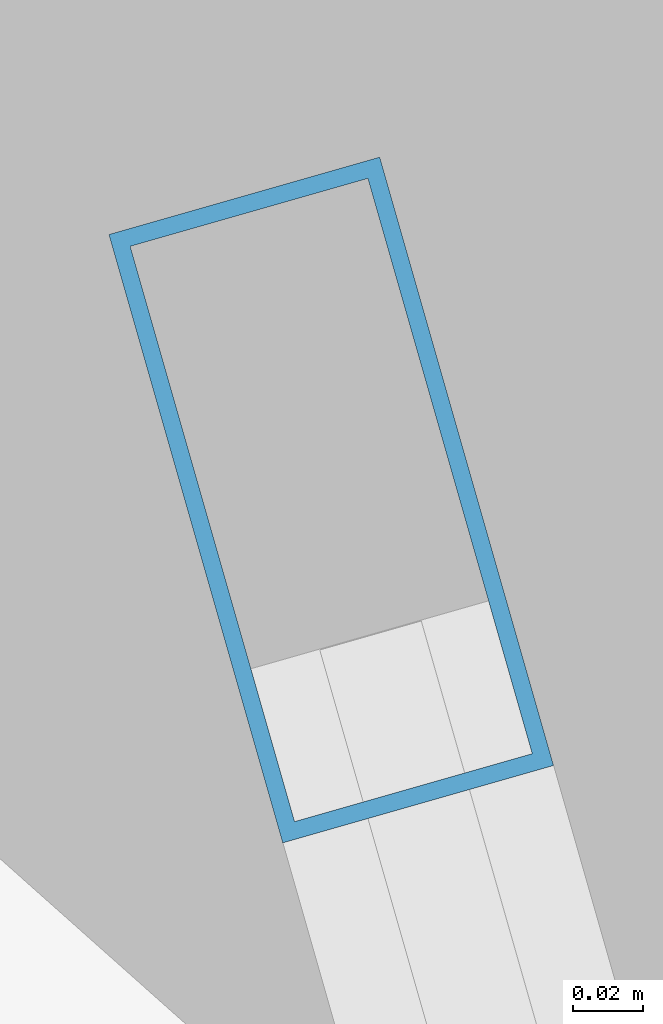
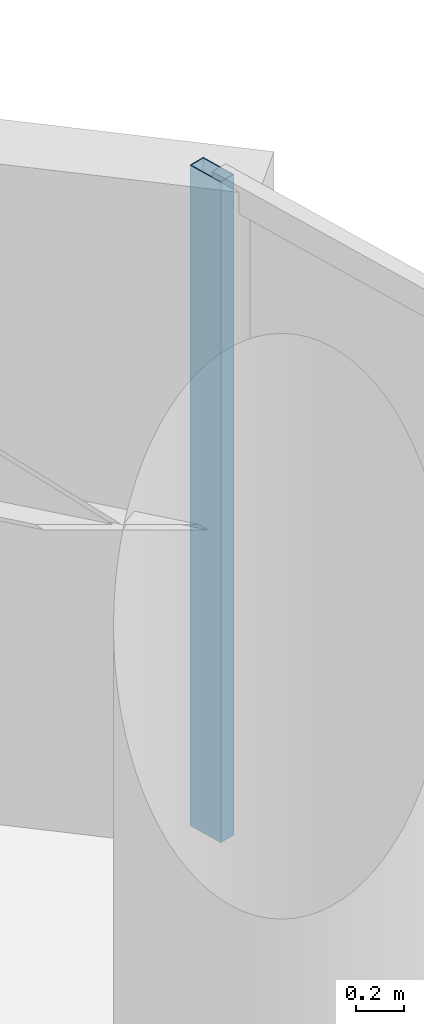
# One storey, part 21 of 31: 1 member, 1 element without a shape of its own.
"""IFC4 building model written with IfcOpenShell, lengths in metres."""

from ifc_helpers import new_model, si_unit, direction, frame, origin, origin_2d, place, context, subcontext, project, spatial, hollow_rectangle, extrude, material, layer, layer_set, material_profile, profile_set, type_object, element, aggregate, save


model = new_model("IFC4")

# Units and contexts
model_context = context("Model", 3, precision=1e-05, world=origin(), true_north=direction((0.0, 1.0)))
body_context = subcontext(model_context, "Body", "Model", "MODEL_VIEW")
ifc_project = project(units=[si_unit("LENGTHUNIT", "METRE"), si_unit("AREAUNIT", "SQUARE_METRE"), si_unit("VOLUMEUNIT", "CUBIC_METRE"), si_unit("PLANEANGLEUNIT", "RADIAN"), si_unit("MASSUNIT", "GRAM", prefix="KILO")], contexts=[model_context])

# Site, building, storey
site_placement = place(None, origin())
site = spatial("IfcSite", under=ifc_project, at=site_placement, CompositionType="ELEMENT")
building_placement = place(site_placement, origin())
building = spatial("IfcBuilding", under=site, at=building_placement, Name="Kazevale Care Tower and Concert Hall", CompositionType="ELEMENT")
storey_placement = place(building_placement, frame((0.0, 0.0, 81.60009765625)))
storey = spatial("IfcBuildingStorey", under=building, at=storey_placement, Name="L21", CompositionType="ELEMENT", Elevation=81.60009765625)

# Curtain wall, member
ifc_material_1 = material(Name="Aluminium 6063-T6 and Low-E Glass", Category="aluminium")
ifc_layer = layer(ifc_material_1, 0.179931640625)
ifc_layer_set = layer_set([ifc_layer], Name="Aluminium 6063-T6 and Low-E Glass")
curtain_wall_type = type_object("IfcCurtainWallType", Name="Waist & Upper Residential Curtain Wall CW-4", PredefinedType="NOTDEFINED", material=ifc_layer_set)
curtain_wall_placement = place(storey_placement, origin())
curtain_wall = element("IfcCurtainWall", 1, at=curtain_wall_placement, inside=storey, type_object=curtain_wall_type, Name="cw:L21:f18", PredefinedType="NOTDEFINED")
ifc_material_2 = material(Name="Aluminium 6063-T6", Category="aluminium")
ifc_material_profile = material_profile(ifc_material_2, hollow_rectangle(XDim=0.080078125, YDim=0.179931640625, WallThickness=0.0048828125, at=origin_2d()), Name="ALU80x180x5")
ifc_profile_set = profile_set([ifc_material_profile], Name="Aluminium 6063-T6")
member_type = type_object("IfcMemberType", Name="CW-4 Mullion ALU80x180x5", PredefinedType="MULLION", material=ifc_profile_set)
member_placement = place(storey_placement, frame((74.7958984375, 49.283447265625, 0.0), z_axis=(0.0, 0.0, 1.0), x_axis=(0.961520742858, 0.274732344388, 0.0)))
member = element("IfcMember", 2, at=member_placement, type_object=member_type, Name="CW-4 mullion 1", PredefinedType="MULLION", context=body_context, shape_type="SweptSolid", body=[
    extrude(hollow_rectangle(XDim=0.080078125, YDim=0.179931640625, WallThickness=0.0048828125, at=origin_2d()), origin(), (0.0, 0.0, 1.0), 3.35986328125),
])
aggregate(curtain_wall, [member])

save(model, "model.ifc")
